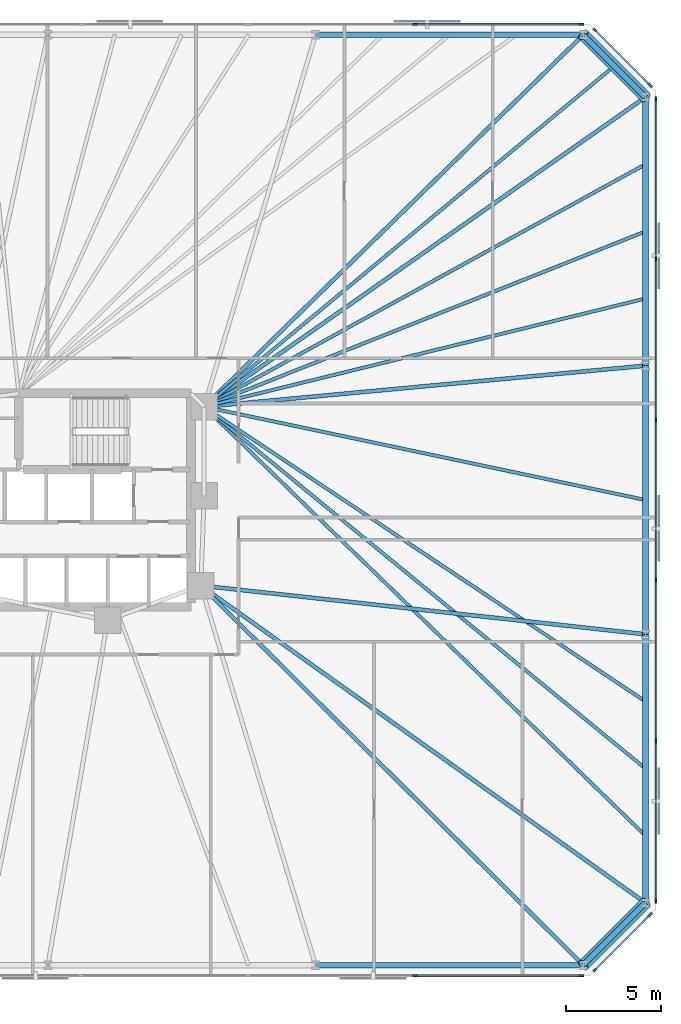
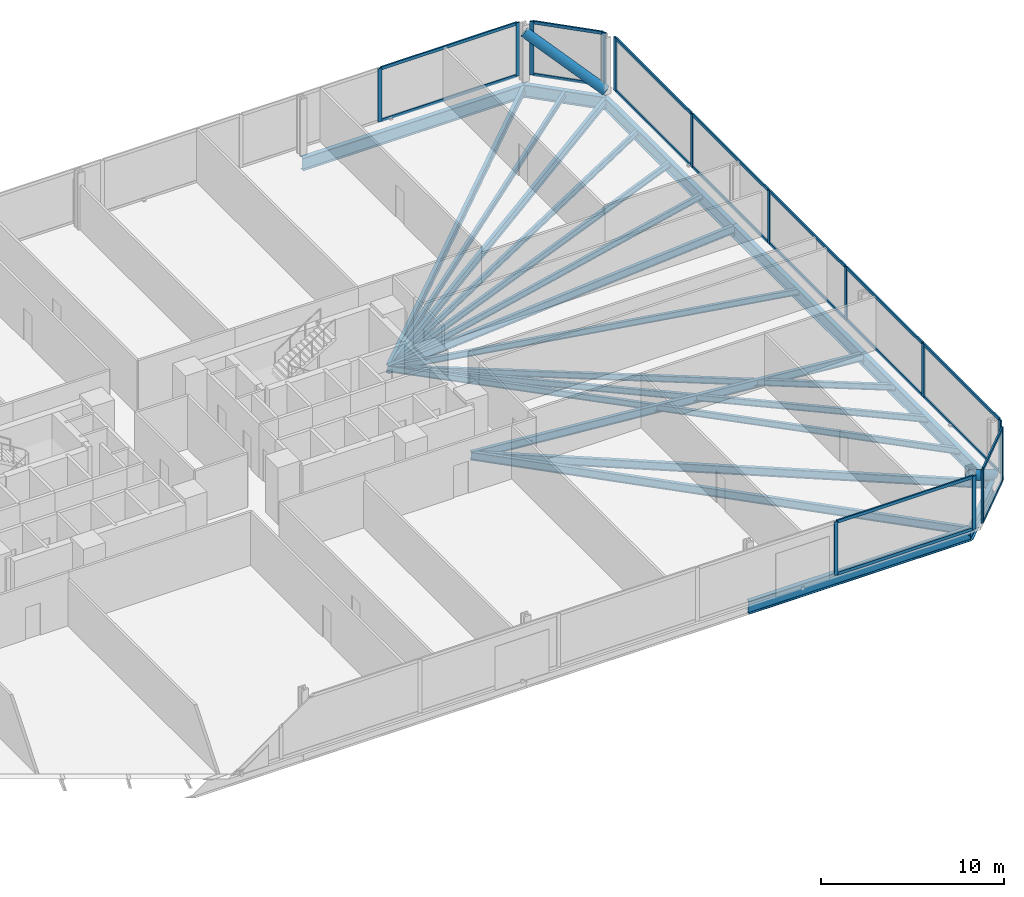
# One storey, part 10 of 17: 34 members, 21 beams, 5 elements without a shape of their own.
"""IFC4 building model written with IfcOpenShell, lengths in metres."""

import ifcopenshell
import ifcopenshell.guid

model = None  # the IFC model being written
_history = None  # IfcOwnerHistory: only IFC2X3 demands one
_inside = {}  # id of a spatial element -> (the spatial element, [elements in it])
_under = {}  # id of a project, library or spatial element -> (it, [spatial elements below it])
_declared = {}  # id of a project -> (the project, [libraries it declares])
_typed = {}  # id of a type object -> (the type object, [elements of that type])
_made_of = {}  # id of a material, layer set ... -> (it, [elements and type objects made of it])


def new_model(schema):
    """Start an empty IFC model of exactly this schema.

    Asked for "IFC4X3", IfcOpenShell would pick the latest addendum, in which some entities
    have other attributes; the version numbers below select the first issue.
    IFC2X3 requires an IfcOwnerHistory on every rooted entity: one is made here for all.
    """
    global model, _history
    if schema == "IFC4X3":
        model = ifcopenshell.file(schema_version=(4, 3, 0, 0))
    else:
        model = ifcopenshell.file(schema=schema)
    _inside.clear()
    _under.clear()
    _declared.clear()
    _typed.clear()
    _made_of.clear()
    _history = None
    if model.schema == "IFC2X3":
        org = make("IfcOrganization", Name="unknown")
        user = make(
            "IfcPersonAndOrganization",
            ThePerson=make("IfcPerson", FamilyName="unknown"),
            TheOrganization=org,
        )
        app = make(
            "IfcApplication",
            ApplicationDeveloper=org,
            Version="unknown",
            ApplicationFullName="unknown",
            ApplicationIdentifier="unknown",
        )
        _history = make(
            "IfcOwnerHistory",
            OwningUser=user,
            OwningApplication=app,
            ChangeAction="ADDED",
            CreationDate=0,
        )
    return model


def make(cls, **values):
    """One entity of the class cls with the attributes given. An attribute that is None is left unset."""
    return model.create_entity(
        cls, **{name: value for name, value in values.items() if value is not None}
    )


def rooted(cls, **values):
    """An entity with a GlobalId (a new one), such as an element, a storey or a relation."""
    return make(cls, GlobalId=ifcopenshell.guid.new(), OwnerHistory=_history, **values)


def si_unit(unit_type, name, prefix=None):
    """IfcSIUnit, for example si_unit("LENGTHUNIT", "METRE", prefix="MILLI")."""
    return make("IfcSIUnit", UnitType=unit_type, Prefix=prefix, Name=name)


def assignment(units):
    """IfcUnitAssignment: the units of a project."""
    return None if units is None else make("IfcUnitAssignment", Units=units)


def point(xyz):
    """IfcCartesianPoint."""
    return None if xyz is None else make("IfcCartesianPoint", Coordinates=xyz)


def direction(xyz):
    """IfcDirection."""
    return None if xyz is None else make("IfcDirection", DirectionRatios=xyz)


def frame(location, z_axis=None, x_axis=None):
    """IfcAxis2Placement3D, a coordinate frame: its origin and axes. An axis left out is left unset."""
    return make(
        "IfcAxis2Placement3D",
        Location=point(location),
        Axis=direction(z_axis),
        RefDirection=direction(x_axis),
    )


def frame_2d(location, x_axis=None):
    """IfcAxis2Placement2D, a coordinate frame in the plane: its origin and x axis."""
    return make(
        "IfcAxis2Placement2D", Location=point(location), RefDirection=direction(x_axis)
    )


def origin():
    """The frame at (0, 0, 0) with its axes left unset."""
    return frame((0.0, 0.0, 0.0))


def origin_2d():
    """The frame at (0, 0) in the plane with its x axis left unset."""
    return frame_2d((0.0, 0.0))


def place(relative_to, where):
    """IfcLocalPlacement: puts the frame where relative to a parent placement (None: the world)."""
    return make(
        "IfcLocalPlacement", PlacementRelTo=relative_to, RelativePlacement=where
    )


def context(
    kind, dimensions, precision=None, world=None, true_north=None, identifier=None
):
    """IfcGeometricRepresentationContext, for example the 3D "Model" context."""
    return make(
        "IfcGeometricRepresentationContext",
        ContextIdentifier=identifier,
        ContextType=kind,
        CoordinateSpaceDimension=dimensions,
        Precision=precision,
        WorldCoordinateSystem=world,
        TrueNorth=true_north,
    )


def subcontext(parent, identifier, kind, view, scale=None):
    """IfcGeometricRepresentationSubContext, for example "Body" below "Model"."""
    return make(
        "IfcGeometricRepresentationSubContext",
        ContextIdentifier=identifier,
        ContextType=kind,
        ParentContext=parent,
        TargetScale=scale,
        TargetView=view,
    )


def project(units=None, contexts=None):
    """IfcProject with its units and contexts."""
    return rooted(
        "IfcProject",
        Name="project",
        RepresentationContexts=contexts,
        UnitsInContext=assignment(units),
    )


def spatial(cls, under=None, at=None, **own):
    """A site, building, storey or space (cls), placed at a placement, below another one or the project."""
    s = rooted(cls, ObjectPlacement=at, **own)
    if under is not None:
        _under.setdefault(under.id(), (under, []))[1].append(s)
    return s


def profile(cls, at=None, kind="AREA", **sizes):
    """A parametric profile (cls). Its sizes go by their IFC names, for example OverallWidth=200.0."""
    return make(cls, ProfileType=kind, Position=at, **sizes)


def rectangle(**sizes):
    """IfcRectangleProfileDef."""
    return profile("IfcRectangleProfileDef", **sizes)


def hollow_circle(**sizes):
    """IfcCircleHollowProfileDef."""
    return profile("IfcCircleHollowProfileDef", **sizes)


def i_section(**sizes):
    """IfcIShapeProfileDef."""
    return profile("IfcIShapeProfileDef", **sizes)


def extrude(swept, where, along, depth):
    """IfcExtrudedAreaSolid: the profile swept, set in the frame where, extruded along a direction by depth."""
    return make(
        "IfcExtrudedAreaSolid",
        SweptArea=swept,
        Position=where,
        ExtrudedDirection=direction(along),
        Depth=depth,
    )


def shape(context_of_items, identifier, shape_type, items):
    """IfcShapeRepresentation: the items that make up one representation, for example the "Body"."""
    return make(
        "IfcShapeRepresentation",
        ContextOfItems=context_of_items,
        RepresentationIdentifier=identifier,
        RepresentationType=shape_type,
        Items=items,
    )


def material(Name=None, Category=None):
    """IfcMaterial."""
    return make("IfcMaterial", Name=Name, Category=Category)


def material_profile(
    of_material, cross_section, Name=None, Category=None, Priority=None
):
    """IfcMaterialProfile: a cross section and its material."""
    return make(
        "IfcMaterialProfile",
        Name=Name,
        Material=of_material,
        Profile=cross_section,
        Priority=Priority,
        Category=Category,
    )


def profile_set(profiles, Name=None, composite=None):
    """IfcMaterialProfileSet."""
    return make(
        "IfcMaterialProfileSet",
        Name=Name,
        MaterialProfiles=profiles,
        CompositeProfile=composite,
    )


def made_of(thing, what):
    """Note that an element or type object is made of a material, layer set ...; save() writes the relation."""
    if what is not None:
        _made_of.setdefault(what.id(), (what, []))[1].append(thing)
    return thing


def type_object(cls, material=None, **own):
    """A type object (cls), such as IfcWallType, which elements share."""
    return made_of(rooted(cls, **own), material)


def element(
    cls,
    number,
    at=None,
    inside=None,
    cuts=None,
    type_object=None,
    material=None,
    context=None,
    identifier="Body",
    shape_type=None,
    held_by="IfcProductDefinitionShape",
    body=None,
    shapes=None,
    **own,
):
    """One element of the class cls, such as IfcWall. Its Tag is "e" and its number.

    at: its placement. inside: the storey or other place that contains it. cuts: it is an
    opening in that element (IfcRelVoidsElement). A single representation is given by context,
    identifier, shape_type and body (its items); several are given by shapes. held_by: the class
    of the entity that holds the representations. save() writes the other relations.
    """
    e = rooted(cls, Tag="e%d" % number, ObjectPlacement=at, **own)
    if body is not None:
        shapes = [shape(context, identifier, shape_type, body)]
    if shapes is not None:
        e.Representation = make(held_by, Representations=shapes)
    if inside is not None:
        _inside.setdefault(inside.id(), (inside, []))[1].append(e)
    if cuts is not None:
        rooted(
            "IfcRelVoidsElement", RelatingBuildingElement=cuts, RelatedOpeningElement=e
        )
    if type_object is not None:
        _typed.setdefault(type_object.id(), (type_object, []))[1].append(e)
    return made_of(e, material)


def aggregate(whole, parts):
    """IfcRelAggregates: a whole, such as a stair, and the parts it consists of."""
    return rooted("IfcRelAggregates", RelatingObject=whole, RelatedObjects=parts)


def save(model, path):
    """Write the relations noted so far, then the file.

    IfcRelAggregates (storeys below a building ...), IfcRelContainedInSpatialStructure (elements
    in a storey), IfcRelDefinesByType, IfcRelAssociatesMaterial and IfcRelDeclares: one each for
    every whole, place, type object, material and project.
    """
    for whole, parts in _under.values():
        aggregate(whole, parts)
    for where, things in _inside.values():
        rooted(
            "IfcRelContainedInSpatialStructure",
            RelatedElements=things,
            RelatingStructure=where,
        )
    for kind, things in _typed.values():
        rooted("IfcRelDefinesByType", RelatedObjects=things, RelatingType=kind)
    for what, things in _made_of.values():
        rooted("IfcRelAssociatesMaterial", RelatedObjects=things, RelatingMaterial=what)
    for by, libraries in _declared.values():
        rooted("IfcRelDeclares", RelatingContext=by, RelatedDefinitions=libraries)
    model.write(path)


model = new_model("IFC4")

# Units and contexts
model_context = context("Model", 3, precision=1e-05, world=origin(), true_north=direction((0.0, 1.0)))
body_context = subcontext(model_context, "Body", "Model", "MODEL_VIEW")
ifc_project = project(units=[si_unit("LENGTHUNIT", "METRE"), si_unit("AREAUNIT", "SQUARE_METRE"), si_unit("VOLUMEUNIT", "CUBIC_METRE"), si_unit("PLANEANGLEUNIT", "RADIAN"), si_unit("MASSUNIT", "GRAM", prefix="KILO")], contexts=[model_context])

# Site, building, storey
site_placement = place(None, origin())
site = spatial("IfcSite", under=ifc_project, at=site_placement, CompositionType="ELEMENT")
building_placement = place(site_placement, origin())
building = spatial("IfcBuilding", under=site, at=building_placement, Name="Menara Jurai Vektor", CompositionType="ELEMENT")
storey_placement = place(building_placement, frame((0.0, 0.0, 37.0)))
storey = spatial("IfcBuildingStorey", under=building, at=storey_placement, Name="L08", CompositionType="ELEMENT", Elevation=37.0)

# Curtain wall, members
ifc_material_1 = material(Name="Anodised Pale Aluminium & Low-E Double Glazing", Category="aluminium")
curtain_wall_type = type_object("IfcCurtainWallType", Name="CW-BLK1", PredefinedType="NOTDEFINED", material=ifc_material_1)
curtain_wall_1_placement = place(storey_placement, origin())
curtain_wall_1 = element("IfcCurtainWall", 1, at=curtain_wall_1_placement, inside=storey, type_object=curtain_wall_type, Name="Unitised Curtain Wall L08 F01", PredefinedType="NOTDEFINED")
ifc_material_2 = material(Name="Anodised Pale Aluminium Mullion", Category="aluminium")
ifc_material_profile_1 = material_profile(ifc_material_2, rectangle(XDim=0.094970703125, YDim=0.239990234375, at=origin_2d()), Name="ALU MUL 95x240")
ifc_profile_set_1 = profile_set([ifc_material_profile_1], Name="Anodised Pale Aluminium Mullion")
member_type_1 = type_object("IfcMemberType", Name="CW-BLK1-MUL", PredefinedType="MULLION", material=ifc_profile_set_1)
member_1_placement = place(storey_placement, frame((26.340087890625, -25.0, 0.0), z_axis=(0.0, 0.0, 1.0), x_axis=(0.0, 1.0, 0.0)))
member_1 = element("IfcMember", 2, at=member_1_placement, type_object=member_type_1, Name="CW-01 mullion 8", PredefinedType="MULLION", context=body_context, shape_type="SweptSolid", body=[
    extrude(rectangle(XDim=0.094970703125, YDim=0.239990234375, at=origin_2d()), origin(), (0.0, 0.0, 1.0), 3.574951171875),
])
member_2_placement = place(storey_placement, frame((35.072509765625, -25.0, 0.0), z_axis=(0.0, 0.0, 1.0), x_axis=(0.0, 1.0, 0.0)))
member_2 = element("IfcMember", 3, at=member_2_placement, type_object=member_type_1, Name="CW-01 mullion 9", PredefinedType="MULLION", context=body_context, shape_type="SweptSolid", body=[
    extrude(rectangle(XDim=0.094970703125, YDim=0.239990234375, at=origin_2d()), origin(), (0.0, 0.0, 1.0), 3.574951171875),
])

curtain_wall_2_placement = place(storey_placement, origin())
curtain_wall_2 = element("IfcCurtainWall", 4, at=curtain_wall_2_placement, inside=storey, type_object=curtain_wall_type, Name="Unitised Curtain Wall L08 F02", PredefinedType="NOTDEFINED")
member_3_placement = place(storey_placement, frame((35.80224609375, -24.69775390625, 0.0), z_axis=(0.0, 0.0, 1.0), x_axis=(-0.707106781187, 0.707106781187, 0.0)))
member_3 = element("IfcMember", 5, at=member_3_placement, type_object=member_type_1, Name="CW-01 mullion 1", PredefinedType="MULLION", context=body_context, shape_type="SweptSolid", body=[
    extrude(rectangle(XDim=0.094970703125, YDim=0.239990234375, at=origin_2d()), origin(), (0.0, 0.0, 1.0), 3.574951171875),
])
member_4_placement = place(storey_placement, frame((38.69775390625, -21.80224609375, 0.0), z_axis=(0.0, 0.0, 1.0), x_axis=(-0.707106781187, 0.707106781187, 0.0)))
member_4 = element("IfcMember", 6, at=member_4_placement, type_object=member_type_1, Name="CW-01 mullion 2", PredefinedType="MULLION", context=body_context, shape_type="SweptSolid", body=[
    extrude(rectangle(XDim=0.094970703125, YDim=0.239990234375, at=origin_2d()), origin(), (0.0, 0.0, 1.0), 3.574951171875),
])

curtain_wall_3_placement = place(storey_placement, origin())
curtain_wall_3 = element("IfcCurtainWall", 7, at=curtain_wall_3_placement, inside=storey, type_object=curtain_wall_type, Name="Unitised Curtain Wall L08 F03", PredefinedType="NOTDEFINED")
member_5_placement = place(storey_placement, frame((39.0, -21.072509765625, 0.0), z_axis=(0.0, 0.0, 1.0), x_axis=(-1.0, 0.0, 0.0)))
member_5 = element("IfcMember", 8, at=member_5_placement, type_object=member_type_1, Name="CW-01 mullion 1", PredefinedType="MULLION", context=body_context, shape_type="SweptSolid", body=[
    extrude(rectangle(XDim=0.094970703125, YDim=0.239990234375, at=origin_2d()), origin(), (0.0, 0.0, 1.0), 3.574951171875),
])
member_6_placement = place(storey_placement, frame((39.0, -12.672119140625, 0.0), z_axis=(0.0, 0.0, 1.0), x_axis=(-1.0, 0.0, 0.0)))
member_6 = element("IfcMember", 9, at=member_6_placement, type_object=member_type_1, Name="CW-01 mullion 2", PredefinedType="MULLION", context=body_context, shape_type="SweptSolid", body=[
    extrude(rectangle(XDim=0.094970703125, YDim=0.239990234375, at=origin_2d()), origin(), (0.0, 0.0, 1.0), 3.574951171875),
])
member_7_placement = place(storey_placement, frame((39.0, -4.22412109375, 0.0), z_axis=(0.0, 0.0, 1.0), x_axis=(-1.0, 0.0, 0.0)))
member_7 = element("IfcMember", 10, at=member_7_placement, type_object=member_type_1, Name="CW-01 mullion 3", PredefinedType="MULLION", context=body_context, shape_type="SweptSolid", body=[
    extrude(rectangle(XDim=0.094970703125, YDim=0.239990234375, at=origin_2d()), origin(), (0.0, 0.0, 1.0), 3.574951171875),
])
member_8_placement = place(storey_placement, frame((39.0, 4.22412109375, 0.0), z_axis=(0.0, 0.0, 1.0), x_axis=(-1.0, 0.0, 0.0)))
member_8 = element("IfcMember", 11, at=member_8_placement, type_object=member_type_1, Name="CW-01 mullion 4", PredefinedType="MULLION", context=body_context, shape_type="SweptSolid", body=[
    extrude(rectangle(XDim=0.094970703125, YDim=0.239990234375, at=origin_2d()), origin(), (0.0, 0.0, 1.0), 3.574951171875),
])
member_9_placement = place(storey_placement, frame((39.0, 12.672119140625, 0.0), z_axis=(0.0, 0.0, 1.0), x_axis=(-1.0, 0.0, 0.0)))
member_9 = element("IfcMember", 12, at=member_9_placement, type_object=member_type_1, Name="CW-01 mullion 5", PredefinedType="MULLION", context=body_context, shape_type="SweptSolid", body=[
    extrude(rectangle(XDim=0.094970703125, YDim=0.239990234375, at=origin_2d()), origin(), (0.0, 0.0, 1.0), 3.574951171875),
])
member_10_placement = place(storey_placement, frame((39.0, 21.072509765625, 0.0), z_axis=(0.0, 0.0, 1.0), x_axis=(-1.0, 0.0, 0.0)))
member_10 = element("IfcMember", 13, at=member_10_placement, type_object=member_type_1, Name="CW-01 mullion 6", PredefinedType="MULLION", context=body_context, shape_type="SweptSolid", body=[
    extrude(rectangle(XDim=0.094970703125, YDim=0.239990234375, at=origin_2d()), origin(), (0.0, 0.0, 1.0), 3.574951171875),
])

curtain_wall_4_placement = place(storey_placement, origin())
curtain_wall_4 = element("IfcCurtainWall", 14, at=curtain_wall_4_placement, inside=storey, type_object=curtain_wall_type, Name="Unitised Curtain Wall L08 F04", PredefinedType="NOTDEFINED")
member_11_placement = place(storey_placement, frame((38.69775390625, 21.80224609375, 0.0), z_axis=(0.0, 0.0, 1.0), x_axis=(-0.707106781187, -0.707106781187, 0.0)))
member_11 = element("IfcMember", 15, at=member_11_placement, type_object=member_type_1, Name="CW-01 mullion 1", PredefinedType="MULLION", context=body_context, shape_type="SweptSolid", body=[
    extrude(rectangle(XDim=0.094970703125, YDim=0.239990234375, at=origin_2d()), origin(), (0.0, 0.0, 1.0), 3.574951171875),
])
member_12_placement = place(storey_placement, frame((35.80224609375, 24.69775390625, 0.0), z_axis=(0.0, 0.0, 1.0), x_axis=(-0.707106781187, -0.707106781187, 0.0)))
member_12 = element("IfcMember", 16, at=member_12_placement, type_object=member_type_1, Name="CW-01 mullion 2", PredefinedType="MULLION", context=body_context, shape_type="SweptSolid", body=[
    extrude(rectangle(XDim=0.094970703125, YDim=0.239990234375, at=origin_2d()), origin(), (0.0, 0.0, 1.0), 3.574951171875),
])

curtain_wall_5_placement = place(storey_placement, origin())
curtain_wall_5 = element("IfcCurtainWall", 17, at=curtain_wall_5_placement, inside=storey, type_object=curtain_wall_type, Name="Unitised Curtain Wall L08 F05", PredefinedType="NOTDEFINED")
member_13_placement = place(storey_placement, frame((35.072509765625, 25.0, 0.0), z_axis=(0.0, 0.0, 1.0), x_axis=(0.0, -1.0, 0.0)))
member_13 = element("IfcMember", 18, at=member_13_placement, type_object=member_type_1, Name="CW-01 mullion 1", PredefinedType="MULLION", context=body_context, shape_type="SweptSolid", body=[
    extrude(rectangle(XDim=0.094970703125, YDim=0.239990234375, at=origin_2d()), origin(), (0.0, 0.0, 1.0), 3.574951171875),
])
member_14_placement = place(storey_placement, frame((26.340087890625, 25.0, 0.0), z_axis=(0.0, 0.0, 1.0), x_axis=(0.0, -1.0, 0.0)))
member_14 = element("IfcMember", 19, at=member_14_placement, type_object=member_type_1, Name="CW-01 mullion 2", PredefinedType="MULLION", context=body_context, shape_type="SweptSolid", body=[
    extrude(rectangle(XDim=0.094970703125, YDim=0.239990234375, at=origin_2d()), origin(), (0.0, 0.0, 1.0), 3.574951171875),
])

# Member
ifc_material_3 = material(Name="Anodised Pale Aluminium Transom", Category="aluminium")
ifc_material_profile_2 = material_profile(ifc_material_3, rectangle(XDim=0.094970703125, YDim=0.199951171875, at=origin_2d()), Name="ALU TRN 95x200")
ifc_profile_set_2 = profile_set([ifc_material_profile_2], Name="Anodised Pale Aluminium Transom")
member_type_2 = type_object("IfcMemberType", Name="CW-BLK1-TRN", PredefinedType="USERDEFINED", material=ifc_profile_set_2)
member_15_placement = place(storey_placement, frame((26.387451171875, -25.0, 0.047607421875), z_axis=(1.0, 0.0, 0.0), x_axis=(0.0, 1.0, 0.0)))
member_15 = element("IfcMember", 20, at=member_15_placement, type_object=member_type_2, Name="CW-01 transom 8.1", ObjectType="TRANSOM", PredefinedType="USERDEFINED", context=body_context, shape_type="SweptSolid", body=[
    extrude(rectangle(XDim=0.094970703125, YDim=0.199951171875, at=origin_2d()), origin(), (0.0, 0.0, 1.0), 8.637451171875),
])

member_16_placement = place(storey_placement, frame((26.387451171875, -25.0, 3.527587890625), z_axis=(1.0, 0.0, 0.0), x_axis=(0.0, 1.0, 0.0)))
member_16 = element("IfcMember", 21, at=member_16_placement, type_object=member_type_2, Name="CW-01 transom 8.2", ObjectType="TRANSOM", PredefinedType="USERDEFINED", context=body_context, shape_type="SweptSolid", body=[
    extrude(rectangle(XDim=0.094970703125, YDim=0.199951171875, at=origin_2d()), origin(), (0.0, 0.0, 1.0), 8.637451171875),
])

aggregate(curtain_wall_1, [member_1, member_2, member_15, member_16])

member_17_placement = place(storey_placement, frame((35.8359375, -24.6640625, 0.047607421875), z_axis=(0.707106781187, 0.707106781187, 0.0), x_axis=(-0.707106781187, 0.707106781187, 0.0)))
member_17 = element("IfcMember", 22, at=member_17_placement, type_object=member_type_2, Name="CW-01 transom 1.1", ObjectType="TRANSOM", PredefinedType="USERDEFINED", context=body_context, shape_type="SweptSolid", body=[
    extrude(rectangle(XDim=0.094970703125, YDim=0.199951171875, at=origin_2d()), origin(), (0.0, 0.0, 1.0), 3.99951171875),
])

member_18_placement = place(storey_placement, frame((35.8359375, -24.6640625, 3.527587890625), z_axis=(0.707106781187, 0.707106781187, 0.0), x_axis=(-0.707106781187, 0.707106781187, 0.0)))
member_18 = element("IfcMember", 23, at=member_18_placement, type_object=member_type_2, Name="CW-01 transom 1.2", ObjectType="TRANSOM", PredefinedType="USERDEFINED", context=body_context, shape_type="SweptSolid", body=[
    extrude(rectangle(XDim=0.094970703125, YDim=0.199951171875, at=origin_2d()), origin(), (0.0, 0.0, 1.0), 3.99951171875),
])

aggregate(curtain_wall_2, [member_3, member_4, member_17, member_18])

member_19_placement = place(storey_placement, frame((39.0, -21.02490234375, 0.047607421875), z_axis=(0.0, 1.0, 0.0), x_axis=(-1.0, 0.0, 0.0)))
member_19 = element("IfcMember", 24, at=member_19_placement, type_object=member_type_2, Name="CW-01 transom 1.1", ObjectType="TRANSOM", PredefinedType="USERDEFINED", context=body_context, shape_type="SweptSolid", body=[
    extrude(rectangle(XDim=0.094970703125, YDim=0.199951171875, at=origin_2d()), origin(), (0.0, 0.0, 1.0), 8.305419921875),
])

member_20_placement = place(storey_placement, frame((39.0, -21.02490234375, 3.527587890625), z_axis=(0.0, 1.0, 0.0), x_axis=(-1.0, 0.0, 0.0)))
member_20 = element("IfcMember", 25, at=member_20_placement, type_object=member_type_2, Name="CW-01 transom 1.2", ObjectType="TRANSOM", PredefinedType="USERDEFINED", context=body_context, shape_type="SweptSolid", body=[
    extrude(rectangle(XDim=0.094970703125, YDim=0.199951171875, at=origin_2d()), origin(), (0.0, 0.0, 1.0), 8.305419921875),
])

member_21_placement = place(storey_placement, frame((39.0, -12.62451171875, 0.047607421875), z_axis=(0.0, 1.0, 0.0), x_axis=(-1.0, 0.0, 0.0)))
member_21 = element("IfcMember", 26, at=member_21_placement, type_object=member_type_2, Name="CW-01 transom 2.1", ObjectType="TRANSOM", PredefinedType="USERDEFINED", context=body_context, shape_type="SweptSolid", body=[
    extrude(rectangle(XDim=0.094970703125, YDim=0.199951171875, at=origin_2d()), origin(), (0.0, 0.0, 1.0), 8.35302734375),
])

member_22_placement = place(storey_placement, frame((39.0, -12.62451171875, 3.527587890625), z_axis=(0.0, 1.0, 0.0), x_axis=(-1.0, 0.0, 0.0)))
member_22 = element("IfcMember", 27, at=member_22_placement, type_object=member_type_2, Name="CW-01 transom 2.2", ObjectType="TRANSOM", PredefinedType="USERDEFINED", context=body_context, shape_type="SweptSolid", body=[
    extrude(rectangle(XDim=0.094970703125, YDim=0.199951171875, at=origin_2d()), origin(), (0.0, 0.0, 1.0), 8.35302734375),
])

member_23_placement = place(storey_placement, frame((39.0, -4.176513671875, 0.047607421875), z_axis=(0.0, 1.0, 0.0), x_axis=(-1.0, 0.0, 0.0)))
member_23 = element("IfcMember", 28, at=member_23_placement, type_object=member_type_2, Name="CW-01 transom 3.1", ObjectType="TRANSOM", PredefinedType="USERDEFINED", context=body_context, shape_type="SweptSolid", body=[
    extrude(rectangle(XDim=0.094970703125, YDim=0.199951171875, at=origin_2d()), origin(), (0.0, 0.0, 1.0), 8.35302734375),
])

member_24_placement = place(storey_placement, frame((39.0, -4.176513671875, 3.527587890625), z_axis=(0.0, 1.0, 0.0), x_axis=(-1.0, 0.0, 0.0)))
member_24 = element("IfcMember", 29, at=member_24_placement, type_object=member_type_2, Name="CW-01 transom 3.2", ObjectType="TRANSOM", PredefinedType="USERDEFINED", context=body_context, shape_type="SweptSolid", body=[
    extrude(rectangle(XDim=0.094970703125, YDim=0.199951171875, at=origin_2d()), origin(), (0.0, 0.0, 1.0), 8.35302734375),
])

member_25_placement = place(storey_placement, frame((39.0, 4.271484375, 0.047607421875), z_axis=(0.0, 1.0, 0.0), x_axis=(-1.0, 0.0, 0.0)))
member_25 = element("IfcMember", 30, at=member_25_placement, type_object=member_type_2, Name="CW-01 transom 4.1", ObjectType="TRANSOM", PredefinedType="USERDEFINED", context=body_context, shape_type="SweptSolid", body=[
    extrude(rectangle(XDim=0.094970703125, YDim=0.199951171875, at=origin_2d()), origin(), (0.0, 0.0, 1.0), 8.35302734375),
])

member_26_placement = place(storey_placement, frame((39.0, 4.271484375, 3.527587890625), z_axis=(0.0, 1.0, 0.0), x_axis=(-1.0, 0.0, 0.0)))
member_26 = element("IfcMember", 31, at=member_26_placement, type_object=member_type_2, Name="CW-01 transom 4.2", ObjectType="TRANSOM", PredefinedType="USERDEFINED", context=body_context, shape_type="SweptSolid", body=[
    extrude(rectangle(XDim=0.094970703125, YDim=0.199951171875, at=origin_2d()), origin(), (0.0, 0.0, 1.0), 8.35302734375),
])

member_27_placement = place(storey_placement, frame((39.0, 12.719482421875, 0.047607421875), z_axis=(0.0, 1.0, 0.0), x_axis=(-1.0, 0.0, 0.0)))
member_27 = element("IfcMember", 32, at=member_27_placement, type_object=member_type_2, Name="CW-01 transom 5.1", ObjectType="TRANSOM", PredefinedType="USERDEFINED", context=body_context, shape_type="SweptSolid", body=[
    extrude(rectangle(XDim=0.094970703125, YDim=0.199951171875, at=origin_2d()), origin(), (0.0, 0.0, 1.0), 8.305419921875),
])

member_28_placement = place(storey_placement, frame((39.0, 12.719482421875, 3.527587890625), z_axis=(0.0, 1.0, 0.0), x_axis=(-1.0, 0.0, 0.0)))
member_28 = element("IfcMember", 33, at=member_28_placement, type_object=member_type_2, Name="CW-01 transom 5.2", ObjectType="TRANSOM", PredefinedType="USERDEFINED", context=body_context, shape_type="SweptSolid", body=[
    extrude(rectangle(XDim=0.094970703125, YDim=0.199951171875, at=origin_2d()), origin(), (0.0, 0.0, 1.0), 8.305419921875),
])

aggregate(curtain_wall_3, [member_5, member_6, member_7, member_8, member_9, member_10, member_19, member_20, member_21, member_22, member_23, member_24, member_25, member_26, member_27, member_28])

member_29_placement = place(storey_placement, frame((38.6640625, 21.8359375, 0.047607421875), z_axis=(-0.707106781187, 0.707106781187, 0.0), x_axis=(-0.707106781187, -0.707106781187, 0.0)))
member_29 = element("IfcMember", 34, at=member_29_placement, type_object=member_type_2, Name="CW-01 transom 1.1", ObjectType="TRANSOM", PredefinedType="USERDEFINED", context=body_context, shape_type="SweptSolid", body=[
    extrude(rectangle(XDim=0.094970703125, YDim=0.199951171875, at=origin_2d()), origin(), (0.0, 0.0, 1.0), 3.99951171875),
])

member_30_placement = place(storey_placement, frame((38.6640625, 21.8359375, 3.527587890625), z_axis=(-0.707106781187, 0.707106781187, 0.0), x_axis=(-0.707106781187, -0.707106781187, 0.0)))
member_30 = element("IfcMember", 35, at=member_30_placement, type_object=member_type_2, Name="CW-01 transom 1.2", ObjectType="TRANSOM", PredefinedType="USERDEFINED", context=body_context, shape_type="SweptSolid", body=[
    extrude(rectangle(XDim=0.094970703125, YDim=0.199951171875, at=origin_2d()), origin(), (0.0, 0.0, 1.0), 3.99951171875),
])

aggregate(curtain_wall_4, [member_11, member_12, member_29, member_30])

member_31_placement = place(storey_placement, frame((35.02490234375, 25.0, 0.047607421875), z_axis=(-1.0, 0.0, 0.0), x_axis=(0.0, -1.0, 0.0)))
member_31 = element("IfcMember", 36, at=member_31_placement, type_object=member_type_2, Name="CW-01 transom 1.1", ObjectType="TRANSOM", PredefinedType="USERDEFINED", context=body_context, shape_type="SweptSolid", body=[
    extrude(rectangle(XDim=0.094970703125, YDim=0.199951171875, at=origin_2d()), origin(), (0.0, 0.0, 1.0), 8.637451171875),
])

member_32_placement = place(storey_placement, frame((35.02490234375, 25.0, 3.527587890625), z_axis=(-1.0, 0.0, 0.0), x_axis=(0.0, -1.0, 0.0)))
member_32 = element("IfcMember", 37, at=member_32_placement, type_object=member_type_2, Name="CW-01 transom 1.2", ObjectType="TRANSOM", PredefinedType="USERDEFINED", context=body_context, shape_type="SweptSolid", body=[
    extrude(rectangle(XDim=0.094970703125, YDim=0.199951171875, at=origin_2d()), origin(), (0.0, 0.0, 1.0), 8.637451171875),
])

aggregate(curtain_wall_5, [member_13, member_14, member_31, member_32])

# Beams
ifc_material_4 = material(Name="Steel S355", Category="steel")
ifc_material_profile_3 = material_profile(ifc_material_4, i_section(OverallWidth=0.2109375, OverallDepth=0.5390625, WebThickness=0.011962890625, FlangeThickness=0.01904296875, FilletRadius=0.012939453125, at=origin_2d()), Name="UKB 533x210x109")
ifc_profile_set_3 = profile_set([ifc_material_profile_3], Name="Steel S355")
beam_type_1 = type_object("IfcBeamType", Name="STR-BM-533", PredefinedType="BEAM", material=ifc_profile_set_3)
beam_1_placement = place(storey_placement, frame((35.177734375, -24.449951171875, -0.494384765625), z_axis=(-0.709709931659, 0.704494011972, 0.0), x_axis=(-0.704494011972, -0.709709931659, 0.0)))
element("IfcBeam", 38, at=beam_1_placement, inside=storey, type_object=beam_type_1, Name="Radial Floor Girder L08-S6", PredefinedType="BEAM", context=body_context, shape_type="SweptSolid", body=[
    extrude(i_section(OverallWidth=0.2109375, OverallDepth=0.5390625, WebThickness=0.011962890625, FlangeThickness=0.01904296875, FilletRadius=0.012939453125, at=origin_2d()), origin(), (0.0, 0.0, 1.0), 28.318115234375),
])
beam_2_placement = place(storey_placement, frame((38.449951171875, -21.177734375, -0.494384765625), z_axis=(-0.813981033216, 0.580891450759, 0.0), x_axis=(-0.580891450759, -0.813981033216, 0.0)))
element("IfcBeam", 39, at=beam_2_placement, inside=storey, type_object=beam_type_1, Name="Radial Floor Girder L08-E1", PredefinedType="BEAM", context=body_context, shape_type="SweptSolid", body=[
    extrude(i_section(OverallWidth=0.2109375, OverallDepth=0.5390625, WebThickness=0.011962890625, FlangeThickness=0.01904296875, FilletRadius=0.012939453125, at=origin_2d()), origin(), (0.0, 0.0, 1.0), 28.710693359375),
])
beam_3_placement = place(storey_placement, frame((38.449951171875, -7.059326171875, -0.494384765625), z_axis=(-0.994056757953, 0.108863042253, 0.0), x_axis=(-0.108863042253, -0.994056757953, 0.0)))
element("IfcBeam", 40, at=beam_3_placement, inside=storey, type_object=beam_type_1, Name="Radial Floor Girder L08-E2", PredefinedType="BEAM", context=body_context, shape_type="SweptSolid", body=[
    extrude(i_section(OverallWidth=0.2109375, OverallDepth=0.5390625, WebThickness=0.011962890625, FlangeThickness=0.01904296875, FilletRadius=0.012939453125, at=origin_2d()), origin(), (0.0, 0.0, 1.0), 23.509521484375),
])
beam_4_placement = place(storey_placement, frame((38.449951171875, 7.059326171875, -0.494384765625), z_axis=(-0.995696113112, -0.092678208514, 0.0), x_axis=(0.092678208514, -0.995696113112, 0.0)))
element("IfcBeam", 41, at=beam_4_placement, inside=storey, type_object=beam_type_1, Name="Radial Floor Girder L08-E3", PredefinedType="BEAM", context=body_context, shape_type="SweptSolid", body=[
    extrude(i_section(OverallWidth=0.2109375, OverallDepth=0.5390625, WebThickness=0.011962890625, FlangeThickness=0.01904296875, FilletRadius=0.012939453125, at=origin_2d()), origin(), (0.0, 0.0, 1.0), 23.30029296875),
])
beam_5_placement = place(storey_placement, frame((38.449951171875, 21.177734375, -0.494384765625), z_axis=(-0.818603732445, -0.574358711283, 0.0), x_axis=(0.574358711283, -0.818603732445, 0.0)))
element("IfcBeam", 42, at=beam_5_placement, inside=storey, type_object=beam_type_1, Name="Radial Floor Girder L08-E4", PredefinedType="BEAM", context=body_context, shape_type="SweptSolid", body=[
    extrude(i_section(OverallWidth=0.2109375, OverallDepth=0.5390625, WebThickness=0.011962890625, FlangeThickness=0.01904296875, FilletRadius=0.012939453125, at=origin_2d()), origin(), (0.0, 0.0, 1.0), 28.3408203125),
])
beam_6_placement = place(storey_placement, frame((35.177734375, 24.449951171875, -0.494384765625), z_axis=(-0.713839032855, -0.700309813706, 0.0), x_axis=(0.700309813706, -0.713839032855, 0.0)))
element("IfcBeam", 43, at=beam_6_placement, inside=storey, type_object=beam_type_1, Name="Radial Floor Girder L08-N1", PredefinedType="BEAM", context=body_context, shape_type="SweptSolid", body=[
    extrude(i_section(OverallWidth=0.2109375, OverallDepth=0.5390625, WebThickness=0.011962890625, FlangeThickness=0.01904296875, FilletRadius=0.012939453125, at=origin_2d()), origin(), (0.0, 0.0, 1.0), 27.916259765625),
])

# Members
ifc_material_5 = material(Name="Steel S460", Category="steel")
ifc_material_profile_4 = material_profile(ifc_material_5, hollow_circle(Radius=0.304931640625, WallThickness=0.02490234375, at=origin_2d()), Name="CHS 610x25")
ifc_profile_set_4 = profile_set([ifc_material_profile_4], Name="Steel S460")
member_type_3 = type_object("IfcMemberType", Name="STR-BR-610", PredefinedType="BRACE", material=ifc_profile_set_4)
for number, where, z_axis, x_axis, name in (
    (44, (38.449951171875, -21.177734375, 0.14990234375), (-0.588928100616, -0.588928100616, 0.55346850372), (0.707106781187, -0.707106781187, 0.0), "Exoskeleton Corner Brace L08-1"),
    (45, (38.449951171875, 21.177734375, 0.14990234375), (-0.588928100616, 0.588928100616, 0.55346850372), (-0.707106781187, -0.707106781187, 0.0), "Exoskeleton Corner Brace L08-2"),
):
    element("IfcMember", number, at=place(storey_placement, frame(where, z_axis=z_axis, x_axis=x_axis)), inside=storey, type_object=member_type_3, Name=name, PredefinedType="BRACE", context=body_context, shape_type="SweptSolid", body=[
        extrude(hollow_circle(Radius=0.304931640625, WallThickness=0.02490234375, at=origin_2d()), origin(), (0.0, 0.0, 1.0), 5.55615234375),
    ])

# Beams
ifc_material_profile_5 = material_profile(ifc_material_4, i_section(OverallWidth=0.178955078125, OverallDepth=0.408935546875, WebThickness=0.009033203125, FlangeThickness=0.013916015625, FilletRadius=0.010009765625, at=origin_2d()), Name="UKB 406x178x67")
ifc_profile_set_5 = profile_set([ifc_material_profile_5], Name="Steel S355")
beam_type_2 = type_object("IfcBeamType", Name="STR-JS-406", PredefinedType="JOIST", material=ifc_profile_set_5)
beam_7_placement = place(storey_placement, frame((38.449951171875, -17.648193359375, -0.429443359375), z_axis=(-0.71710942187, 0.696960599363, 0.0), x_axis=(-0.696960599363, -0.71710942187, 0.0)))
element("IfcBeam", 46, at=beam_7_placement, inside=storey, type_object=beam_type_2, Name="Radial Secondary Floor Joist L08-JS08", PredefinedType="JOIST", context=body_context, shape_type="SweptSolid", body=[
    extrude(i_section(OverallWidth=0.178955078125, OverallDepth=0.408935546875, WebThickness=0.009033203125, FlangeThickness=0.013916015625, FilletRadius=0.010009765625, at=origin_2d()), origin(), (0.0, 0.0, 1.0), 32.35205078125),
])
beam_8_placement = place(storey_placement, frame((38.449951171875, -14.118408203125, -0.429443359375), z_axis=(-0.773360118456, 0.633966976413, 0.0), x_axis=(-0.633966976413, -0.773360118456, 0.0)))
element("IfcBeam", 47, at=beam_8_placement, inside=storey, type_object=beam_type_2, Name="Radial Secondary Floor Joist L08-JS09", PredefinedType="JOIST", context=body_context, shape_type="SweptSolid", body=[
    extrude(i_section(OverallWidth=0.178955078125, OverallDepth=0.408935546875, WebThickness=0.009033203125, FlangeThickness=0.013916015625, FilletRadius=0.010009765625, at=origin_2d()), origin(), (0.0, 0.0, 1.0), 29.998779296875),
])
beam_9_placement = place(storey_placement, frame((38.449951171875, -10.5888671875, -0.429443359375), z_axis=(-0.831683872109, 0.555249436627, 0.0), x_axis=(-0.555249436627, -0.831683872109, 0.0)))
element("IfcBeam", 48, at=beam_9_placement, inside=storey, type_object=beam_type_2, Name="Radial Secondary Floor Joist L08-JS10", PredefinedType="JOIST", context=body_context, shape_type="SweptSolid", body=[
    extrude(i_section(OverallWidth=0.178955078125, OverallDepth=0.408935546875, WebThickness=0.009033203125, FlangeThickness=0.013916015625, FilletRadius=0.010009765625, at=origin_2d()), origin(), (0.0, 0.0, 1.0), 27.895263671875),
])
beam_10_placement = place(storey_placement, frame((38.449951171875, 0.0, -0.429443359375), z_axis=(-0.978416084102, 0.206644541109, 0.0), x_axis=(-0.206644541109, -0.978416084102, 0.0)))
element("IfcBeam", 49, at=beam_10_placement, inside=storey, type_object=beam_type_2, Name="Radial Secondary Floor Joist L08-JS11", PredefinedType="JOIST", context=body_context, shape_type="SweptSolid", body=[
    extrude(i_section(OverallWidth=0.178955078125, OverallDepth=0.408935546875, WebThickness=0.009033203125, FlangeThickness=0.013916015625, FilletRadius=0.010009765625, at=origin_2d()), origin(), (0.0, 0.0, 1.0), 23.711669921875),
])
beam_11_placement = place(storey_placement, frame((38.449951171875, 10.5888671875, -0.429443359375), z_axis=(-0.971226234641, -0.238158772976, 0.0), x_axis=(0.238158772976, -0.971226234641, 0.0)))
element("IfcBeam", 50, at=beam_11_placement, inside=storey, type_object=beam_type_2, Name="Radial Secondary Floor Joist L08-JS12", PredefinedType="JOIST", context=body_context, shape_type="SweptSolid", body=[
    extrude(i_section(OverallWidth=0.178955078125, OverallDepth=0.408935546875, WebThickness=0.009033203125, FlangeThickness=0.013916015625, FilletRadius=0.010009765625, at=origin_2d()), origin(), (0.0, 0.0, 1.0), 23.88720703125),
])
beam_12_placement = place(storey_placement, frame((38.449951171875, 14.118408203125, -0.429443359375), z_axis=(-0.929323400723, -0.369266864027, 0.0), x_axis=(0.369266864027, -0.929323400723, 0.0)))
element("IfcBeam", 51, at=beam_12_placement, inside=storey, type_object=beam_type_2, Name="Radial Secondary Floor Joist L08-JS13", PredefinedType="JOIST", context=body_context, shape_type="SweptSolid", body=[
    extrude(i_section(OverallWidth=0.178955078125, OverallDepth=0.408935546875, WebThickness=0.009033203125, FlangeThickness=0.013916015625, FilletRadius=0.010009765625, at=origin_2d()), origin(), (0.0, 0.0, 1.0), 24.96435546875),
])
beam_13_placement = place(storey_placement, frame((38.449951171875, 17.648193359375, -0.429443359375), z_axis=(-0.87640219057, -0.481579900291, 0.0), x_axis=(0.481579900291, -0.87640219057, 0.0)))
element("IfcBeam", 52, at=beam_13_placement, inside=storey, type_object=beam_type_2, Name="Radial Secondary Floor Joist L08-JS14", PredefinedType="JOIST", context=body_context, shape_type="SweptSolid", body=[
    extrude(i_section(OverallWidth=0.178955078125, OverallDepth=0.408935546875, WebThickness=0.009033203125, FlangeThickness=0.013916015625, FilletRadius=0.010009765625, at=origin_2d()), origin(), (0.0, 0.0, 1.0), 26.471923828125),
])
beam_14_placement = place(storey_placement, frame((36.81396484375, 22.81396484375, -0.429443359375), z_axis=(-0.769201173096, -0.639006694259, 0.0), x_axis=(0.639006694259, -0.769201173096, 0.0)))
element("IfcBeam", 53, at=beam_14_placement, inside=storey, type_object=beam_type_2, Name="Radial Secondary Floor Joist L08-JS15", PredefinedType="JOIST", context=body_context, shape_type="SweptSolid", body=[
    extrude(i_section(OverallWidth=0.178955078125, OverallDepth=0.408935546875, WebThickness=0.009033203125, FlangeThickness=0.013916015625, FilletRadius=0.010009765625, at=origin_2d()), origin(), (0.0, 0.0, 1.0), 28.0341796875),
])
ifc_material_profile_6 = material_profile(ifc_material_5, i_section(OverallWidth=0.2939453125, OverallDepth=0.85107421875, WebThickness=0.01611328125, FlangeThickness=0.027099609375, FilletRadius=0.01806640625, at=origin_2d()), Name="UKB 838x292x226")
ifc_profile_set_6 = profile_set([ifc_material_profile_6], Name="Steel S460")
beam_type_3 = type_object("IfcBeamType", Name="STR-SP-838", PredefinedType="SPANDREL", material=ifc_profile_set_6)
beam_15_placement = place(storey_placement, frame((21.106689453125, -24.449951171875, -0.650390625), z_axis=(1.0, 0.0, 0.0), x_axis=(0.0, 1.0, 0.0)))
element("IfcBeam", 54, at=beam_15_placement, inside=storey, type_object=beam_type_3, Name="Exoskeleton Spandrel Beam L08-05", PredefinedType="SPANDREL", context=body_context, shape_type="SweptSolid", body=[
    extrude(i_section(OverallWidth=0.2939453125, OverallDepth=0.85107421875, WebThickness=0.01611328125, FlangeThickness=0.027099609375, FilletRadius=0.01806640625, at=origin_2d()), origin(), (0.0, 0.0, 1.0), 14.071044921875),
])
beam_16_placement = place(storey_placement, frame((35.177734375, -24.449951171875, -0.650390625), z_axis=(0.707106781187, 0.707106781187, 0.0), x_axis=(-0.707106781187, 0.707106781187, 0.0)))
element("IfcBeam", 55, at=beam_16_placement, inside=storey, type_object=beam_type_3, Name="Exoskeleton Spandrel Beam L08-06", PredefinedType="SPANDREL", context=body_context, shape_type="SweptSolid", body=[
    extrude(i_section(OverallWidth=0.2939453125, OverallDepth=0.85107421875, WebThickness=0.01611328125, FlangeThickness=0.027099609375, FilletRadius=0.01806640625, at=origin_2d()), origin(), (0.0, 0.0, 1.0), 4.627685546875),
])
beam_17_placement = place(storey_placement, frame((38.449951171875, -21.177734375, -0.650390625), z_axis=(0.0, 1.0, 0.0), x_axis=(-1.0, 0.0, 0.0)))
element("IfcBeam", 56, at=beam_17_placement, inside=storey, type_object=beam_type_3, Name="Exoskeleton Spandrel Beam L08-07", PredefinedType="SPANDREL", context=body_context, shape_type="SweptSolid", body=[
    extrude(i_section(OverallWidth=0.2939453125, OverallDepth=0.85107421875, WebThickness=0.01611328125, FlangeThickness=0.027099609375, FilletRadius=0.01806640625, at=origin_2d()), origin(), (0.0, 0.0, 1.0), 14.118408203125),
])
beam_18_placement = place(storey_placement, frame((38.449951171875, -7.059326171875, -0.650390625), z_axis=(0.0, 1.0, 0.0), x_axis=(-1.0, 0.0, 0.0)))
element("IfcBeam", 57, at=beam_18_placement, inside=storey, type_object=beam_type_3, Name="Exoskeleton Spandrel Beam L08-08", PredefinedType="SPANDREL", context=body_context, shape_type="SweptSolid", body=[
    extrude(i_section(OverallWidth=0.2939453125, OverallDepth=0.85107421875, WebThickness=0.01611328125, FlangeThickness=0.027099609375, FilletRadius=0.01806640625, at=origin_2d()), origin(), (0.0, 0.0, 1.0), 14.11865234375),
])
beam_19_placement = place(storey_placement, frame((38.449951171875, 7.059326171875, -0.650390625), z_axis=(0.0, 1.0, 0.0), x_axis=(-1.0, 0.0, 0.0)))
element("IfcBeam", 58, at=beam_19_placement, inside=storey, type_object=beam_type_3, Name="Exoskeleton Spandrel Beam L08-09", PredefinedType="SPANDREL", context=body_context, shape_type="SweptSolid", body=[
    extrude(i_section(OverallWidth=0.2939453125, OverallDepth=0.85107421875, WebThickness=0.01611328125, FlangeThickness=0.027099609375, FilletRadius=0.01806640625, at=origin_2d()), origin(), (0.0, 0.0, 1.0), 14.118408203125),
])
beam_20_placement = place(storey_placement, frame((38.449951171875, 21.177734375, -0.650390625), z_axis=(-0.707106781187, 0.707106781187, 0.0), x_axis=(-0.707106781187, -0.707106781187, 0.0)))
element("IfcBeam", 59, at=beam_20_placement, inside=storey, type_object=beam_type_3, Name="Exoskeleton Spandrel Beam L08-10", PredefinedType="SPANDREL", context=body_context, shape_type="SweptSolid", body=[
    extrude(i_section(OverallWidth=0.2939453125, OverallDepth=0.85107421875, WebThickness=0.01611328125, FlangeThickness=0.027099609375, FilletRadius=0.01806640625, at=origin_2d()), origin(), (0.0, 0.0, 1.0), 4.627685546875),
])
beam_21_placement = place(storey_placement, frame((35.177734375, 24.449951171875, -0.650390625), z_axis=(-1.0, 0.0, 0.0), x_axis=(0.0, -1.0, 0.0)))
element("IfcBeam", 60, at=beam_21_placement, inside=storey, type_object=beam_type_3, Name="Exoskeleton Spandrel Beam L08-11", PredefinedType="SPANDREL", context=body_context, shape_type="SweptSolid", body=[
    extrude(i_section(OverallWidth=0.2939453125, OverallDepth=0.85107421875, WebThickness=0.01611328125, FlangeThickness=0.027099609375, FilletRadius=0.01806640625, at=origin_2d()), origin(), (0.0, 0.0, 1.0), 14.071044921875),
])

save(model, "model.ifc")
